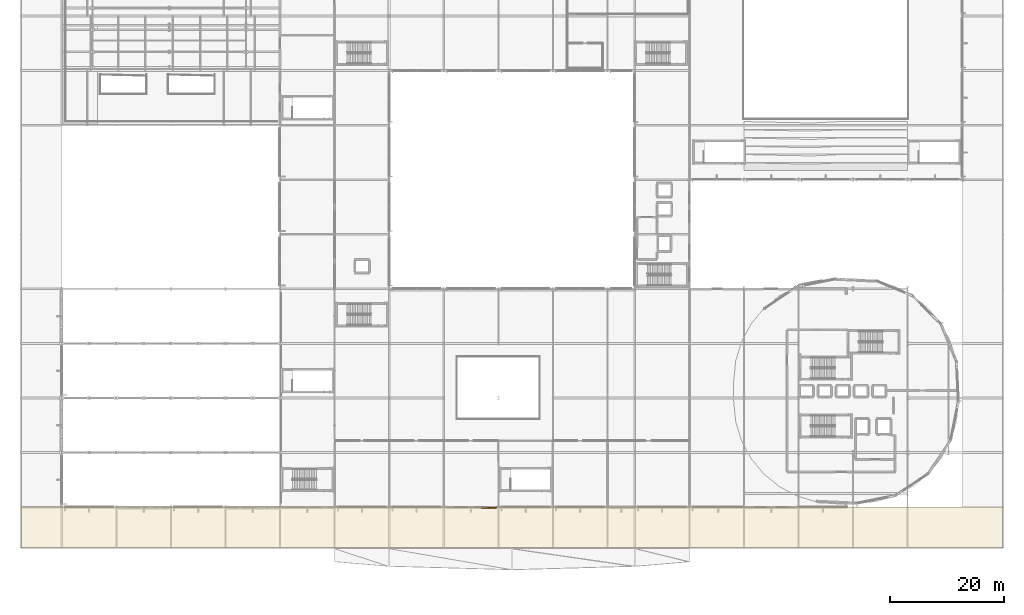
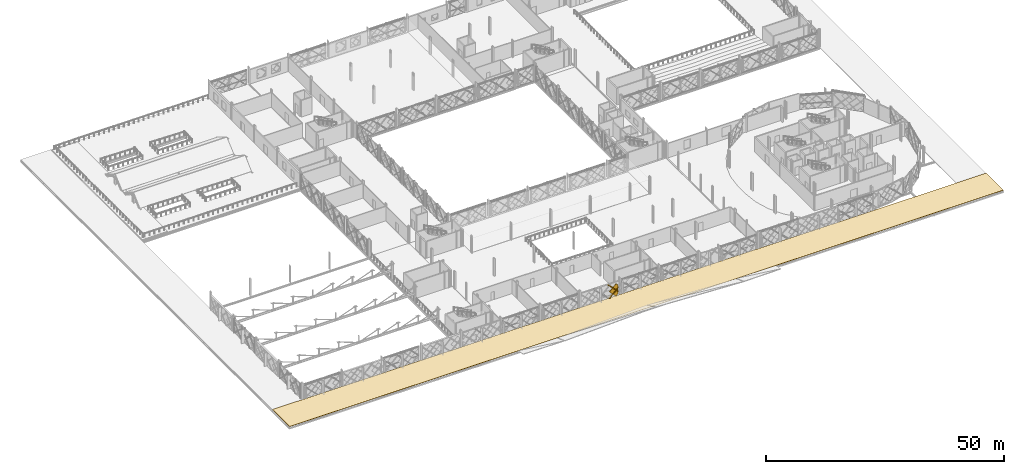
# One storey, part 80 of 101: 4 coverings.
"""IFC4 building model written with IfcOpenShell, lengths in metres."""

from ifc_helpers import new_model, si_unit, direction, frame, origin, place, context, subcontext, project, spatial, polyline, outline, extrude, material, layer, layer_set, type_object, element, save


model = new_model("IFC4")

# Units and contexts
model_context = context("Model", 3, precision=1e-05, world=origin(), true_north=direction((0.0, 1.0)))
body_context = subcontext(model_context, "Body", "Model", "MODEL_VIEW")
ifc_project = project(units=[si_unit("LENGTHUNIT", "METRE"), si_unit("AREAUNIT", "SQUARE_METRE"), si_unit("VOLUMEUNIT", "CUBIC_METRE"), si_unit("PLANEANGLEUNIT", "RADIAN"), si_unit("MASSUNIT", "GRAM", prefix="KILO")], contexts=[model_context])

# Site, building, storey
site_placement = place(None, origin())
site = spatial("IfcSite", under=ifc_project, at=site_placement, CompositionType="ELEMENT")
building_placement = place(site_placement, origin())
building = spatial("IfcBuilding", under=site, at=building_placement, Name="Zevrakil Square Congress Hotel", CompositionType="ELEMENT")
storey_placement = place(building_placement, frame((0.0, 0.0, 5.39990234375)))
storey = spatial("IfcBuildingStorey", under=building, at=storey_placement, Name="L02", CompositionType="ELEMENT", Elevation=5.39990234375)

# Coverings
ifc_material_1 = material(Name="Architectural White Fibre-C GRC", Category="concrete")
ifc_layer_1 = layer(ifc_material_1, 0.06494140625)
ifc_layer_set_1 = layer_set([ifc_layer_1], Name="Architectural White Fibre-C GRC")
covering_type_1 = type_object("IfcCoveringType", Name="COV-DIA-WHITE", PredefinedType="CLADDING", material=ifc_layer_set_1)
covering_1_placement = place(storey_placement, frame((83.10009765625, 7.02001953125, 0.090087890625), z_axis=(8.4603528e-05, -0.999999812462, 0.000606562842), x_axis=(-0.707106710496, 0.00036908103, 0.707106755555)))
element("IfcCovering", 1, at=covering_1_placement, inside=storey, type_object=covering_type_1, Name="L02 45-degree white GRC diamond facade cassette 121", PredefinedType="CLADDING", context=body_context, shape_type="SweptSolid", body=[
    extrude(outline(polyline([(0.0, 0.0), (2.2487240675562994, 0.0), (2.2485518661498842, -2.248551435566648), (1.5414450430169933, -2.2485514663260036), (2.0274496120853414e-07, -0.7071069353752842), (0.0, 0.0)])), origin(), (0.0, 0.0, -1.0), 0.219970703125),
])
ifc_material_2 = material(Name="Anodised Champagne Aluminium", Category="aluminium")
ifc_layer_2 = layer(ifc_material_2, 0.0849609375)
ifc_layer_set_2 = layer_set([ifc_layer_2], Name="Anodised Champagne Aluminium")
covering_type_2 = type_object("IfcCoveringType", Name="COV-DIAGRID-45", PredefinedType="MOLDING", material=ifc_layer_set_2)
covering_2_placement = place(storey_placement, frame((81.606201171875, 6.9951171875, 0.080078125), z_axis=(-0.000313602032, -0.999999600723, 0.000836784617), x_axis=(-0.999999950827, 0.000313601923, -2.62417e-07)))
element("IfcCovering", 2, at=covering_2_placement, inside=storey, type_object=covering_type_2, Name="L02 45-degree aluminium diagrid rib 125", PredefinedType="MOLDING", context=body_context, shape_type="SweptSolid", body=[
    extrude(outline(polyline([(0.0, 0.0), (0.21240233330551436, 0.0), (-1.993896582421113, -2.206054936616319), (-1.9938966033100847, -1.9938966034756982), (0.0, 0.0)])), origin(), (0.0, 0.0, -1.0), 0.2451171875),
])
covering_3_placement = place(storey_placement, frame((81.06884765625, 6.997314453125, 3.60498046875), z_axis=(0.000248152734, -0.999999561871, 0.000902594748), x_axis=(0.99999996921, 0.000248152633, -2.23981e-07)))
element("IfcCovering", 3, at=covering_3_placement, inside=storey, type_object=covering_type_2, Name="L02 45-degree aluminium diagrid rib 128", PredefinedType="MOLDING", context=body_context, shape_type="SweptSolid", body=[
    extrude(outline(polyline([(0.0, 0.0), (0.2121581965926722, 0.0), (2.531250077936912, -2.318848033853816), (2.531250064872256, -2.531006370918612), (0.0, 0.0)])), origin(), (0.0, 0.0, -1.0), 0.2451171875),
])
ifc_material_3 = material(Name="EPDM Weatherproof Roof Membrane")
ifc_layer_3 = layer(ifc_material_3, 0.06005859375)
ifc_layer_set_3 = layer_set([ifc_layer_3], Name="EPDM Weatherproof Roof Membrane")
covering_type_3 = type_object("IfcCoveringType", Name="COV-ROOF-MEMB-060", PredefinedType="ROOFING", material=ifc_layer_set_3)
covering_4_placement = place(storey_placement, origin())
element("IfcCovering", 4, at=covering_4_placement, inside=storey, type_object=covering_type_3, Name="L02 weatherproof roof membrane covering COV-ROOF-L02-COL", PredefinedType="ROOFING", context=body_context, shape_type="SweptSolid", body=[
    extrude(outline(polyline([(0.0, 0.0), (172.800048828125, 0.0), (172.800048828125, 7.199951171875), (0.0, 7.199951171875), (0.0, 0.0)])), origin(), (0.0, 0.0, 1.0), 0.06005859375),
])

save(model, "model.ifc")
